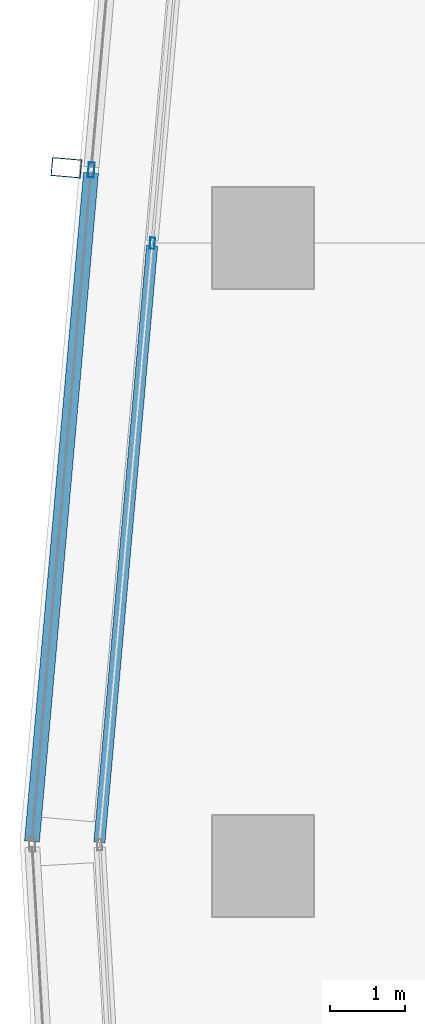
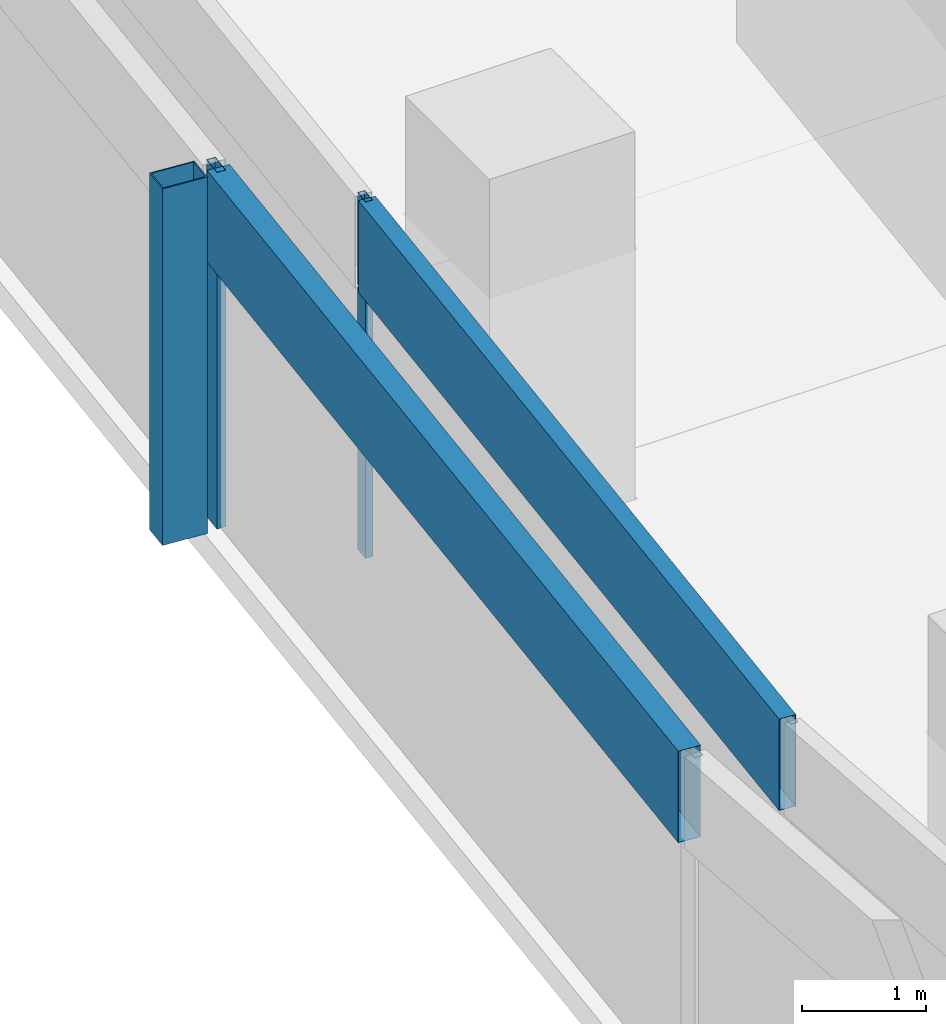
# One storey, part 16 of 40: 5 members, 2 elements without a shape of their own.
"""IFC4 building model written with IfcOpenShell, lengths in metres."""

from ifc_helpers import new_model, si_unit, direction, frame, origin, origin_2d, place, context, subcontext, project, spatial, hollow_rectangle, extrude, material, material_profile, profile_set, type_object, element, aggregate, save


model = new_model("IFC4")

# Units and contexts
model_context = context("Model", 3, precision=1e-05, world=origin(), true_north=direction((0.0, 1.0)))
body_context = subcontext(model_context, "Body", "Model", "MODEL_VIEW")
ifc_project = project(units=[si_unit("LENGTHUNIT", "METRE"), si_unit("AREAUNIT", "SQUARE_METRE"), si_unit("VOLUMEUNIT", "CUBIC_METRE"), si_unit("PLANEANGLEUNIT", "RADIAN"), si_unit("MASSUNIT", "GRAM", prefix="KILO")], contexts=[model_context])

# Site, building, storey
site_placement = place(None, origin())
site = spatial("IfcSite", under=ifc_project, at=site_placement, CompositionType="ELEMENT")
building_placement = place(site_placement, origin())
building = spatial("IfcBuilding", under=site, at=building_placement, Name="Rekha Terrace Tower", CompositionType="ELEMENT")
storey_placement = place(building_placement, frame((0.0, 0.0, 210.199951171875)))
storey = spatial("IfcBuildingStorey", under=building, at=storey_placement, Name="L53", CompositionType="ELEMENT", Elevation=210.199951171875)

# Curtain wall, member
ifc_material_1 = material(Name="Aluminium framing", Category="aluminium")
curtain_wall_type_1 = type_object("IfcCurtainWallType", Name="CW2 double skin outer glazing", PredefinedType="USERDEFINED", material=ifc_material_1)
curtain_wall_1_placement = place(storey_placement, origin())
curtain_wall_1 = element("IfcCurtainWall", 1, at=curtain_wall_1_placement, inside=storey, type_object=curtain_wall_type_1, Name="CW2 double skin outer glazing", ObjectType="DOUBLE SKIN OUTER GLAZING", PredefinedType="USERDEFINED")
ifc_material_2 = material(Name="Steel S355 with fluorocarbon finish", Category="steel")
ifc_material_profile_1 = material_profile(ifc_material_2, hollow_rectangle(XDim=0.25, YDim=0.39990234375, WallThickness=0.012451171875, at=origin_2d()), Name="RHS400x250x12.5")
ifc_profile_set_1 = profile_set([ifc_material_profile_1], Name="Steel S355 with fluorocarbon finish")
member_type_1 = type_object("IfcMemberType", Name="BL1 facade blade RHS 400 x 250", PredefinedType="USERDEFINED", material=ifc_profile_set_1)
member_1_placement = place(storey_placement, frame((5.77001953125, 51.341796875, 0.0), z_axis=(0.0, 0.0, 1.0), x_axis=(-0.087957249501, -0.996124250413, 0.0)))
member_1 = element("IfcMember", 2, at=member_1_placement, type_object=member_type_1, Name="Facade blade", ObjectType="FACADE BLADE", PredefinedType="USERDEFINED", context=body_context, shape_type="SweptSolid", body=[
    extrude(hollow_rectangle(XDim=0.25, YDim=0.39990234375, WallThickness=0.012451171875, at=origin_2d()), origin(), (0.0, 0.0, 1.0), 3.5),
])

# Curtain wall, members
curtain_wall_type_2 = type_object("IfcCurtainWallType", Name="CW1 double skin inner glazing", PredefinedType="USERDEFINED", material=ifc_material_1)
curtain_wall_2_placement = place(storey_placement, origin())
curtain_wall_2 = element("IfcCurtainWall", 3, at=curtain_wall_2_placement, inside=storey, type_object=curtain_wall_type_2, Name="CW1 double skin inner glazing", ObjectType="DOUBLE SKIN INNER GLAZING", PredefinedType="USERDEFINED")
ifc_material_3 = material(Name="Aluminium mullion section", Category="aluminium")
ifc_material_profile_2 = material_profile(ifc_material_3, hollow_rectangle(XDim=0.06494140625, YDim=0.14990234375, WallThickness=0.00390625, at=origin_2d()), Name="AL RHS 65x150")
ifc_profile_set_2 = profile_set([ifc_material_profile_2], Name="Aluminium mullion section")
member_type_2 = type_object("IfcMemberType", Name="CW1 mullion RHS 65 x 150", PredefinedType="MULLION", material=ifc_profile_set_2)
member_2_placement = place(storey_placement, frame((6.920654296875, 50.331787109375, 0.0), z_axis=(0.0, 0.0, 1.0), x_axis=(0.996124185422, -0.087957985523, 0.0)))
member_2 = element("IfcMember", 4, at=member_2_placement, type_object=member_type_2, Name="CW1 mullion 2", PredefinedType="MULLION", context=body_context, shape_type="SweptSolid", body=[
    extrude(hollow_rectangle(XDim=0.06494140625, YDim=0.14990234375, WallThickness=0.00390625, at=origin_2d()), origin(), (0.0, 0.0, 1.0), 3.5),
])
ifc_material_4 = material(Name="Insulated aluminium spandrel box", Category="aluminium")
ifc_material_profile_3 = material_profile(ifc_material_4, hollow_rectangle(XDim=0.14990234375, YDim=0.89990234375, WallThickness=0.0029296875, at=origin_2d()), Name="AL SPANDREL BOX 150x900")
ifc_profile_set_3 = profile_set([ifc_material_profile_3], Name="Insulated aluminium spandrel box")
member_type_3 = type_object("IfcMemberType", Name="CW1 spandrel transom 150 x 900", PredefinedType="USERDEFINED", material=ifc_profile_set_3)
member_3_placement = place(storey_placement, frame((6.917724609375, 50.29931640625, 3.050048828125), z_axis=(-0.087959586596, -0.996124044046, 0.0), x_axis=(0.996124044046, -0.087959586596, 0.0)))
member_3 = element("IfcMember", 5, at=member_3_placement, type_object=member_type_3, Name="CW1 spandrel transom 2", ObjectType="TRANSOM", PredefinedType="USERDEFINED", context=body_context, shape_type="SweptSolid", body=[
    extrude(hollow_rectangle(XDim=0.14990234375, YDim=0.89990234375, WallThickness=0.0029296875, at=origin_2d()), origin(), (0.0, 0.0, 1.0), 8.015869140625),
])
aggregate(curtain_wall_2, [member_2, member_3])

# Member
ifc_material_profile_4 = material_profile(ifc_material_3, hollow_rectangle(XDim=0.080078125, YDim=0.199951171875, WallThickness=0.00390625, at=origin_2d()), Name="AL RHS 80x200")
ifc_profile_set_4 = profile_set([ifc_material_profile_4], Name="Aluminium mullion section")
member_type_4 = type_object("IfcMemberType", Name="CW2 mullion RHS 80 x 200", PredefinedType="MULLION", material=ifc_profile_set_4)
member_4_placement = place(storey_placement, frame((6.103759765625, 51.312255859375, 0.0), z_axis=(0.0, 0.0, 1.0), x_axis=(0.996124185428, -0.087957985453, 0.0)))
member_4 = element("IfcMember", 6, at=member_4_placement, type_object=member_type_4, Name="CW2 mullion 2", PredefinedType="MULLION", context=body_context, shape_type="SweptSolid", body=[
    extrude(hollow_rectangle(XDim=0.080078125, YDim=0.199951171875, WallThickness=0.00390625, at=origin_2d()), origin(), (0.0, 0.0, 1.0), 3.5),
])

ifc_material_profile_5 = material_profile(ifc_material_4, hollow_rectangle(XDim=0.199951171875, YDim=0.89990234375, WallThickness=0.0029296875, at=origin_2d()), Name="AL SPANDREL BOX 200x900")
ifc_profile_set_5 = profile_set([ifc_material_profile_5], Name="Insulated aluminium spandrel box")
member_type_5 = type_object("IfcMemberType", Name="CW2 spandrel transom 200 x 900", PredefinedType="USERDEFINED", material=ifc_profile_set_5)
member_5_placement = place(storey_placement, frame((6.100341796875, 51.2724609375, 3.050048828125), z_axis=(-0.087981092326, -0.996122144816, 0.0), x_axis=(0.996122144816, -0.087981092326, 0.0)))
member_5 = element("IfcMember", 7, at=member_5_placement, type_object=member_type_5, Name="CW2 spandrel transom 2", ObjectType="TRANSOM", PredefinedType="USERDEFINED", context=body_context, shape_type="SweptSolid", body=[
    extrude(hollow_rectangle(XDim=0.199951171875, YDim=0.89990234375, WallThickness=0.0029296875, at=origin_2d()), origin(), (0.0, 0.0, 1.0), 8.979736328125),
])

aggregate(curtain_wall_1, [member_4, member_5, member_1])

save(model, "model.ifc")
